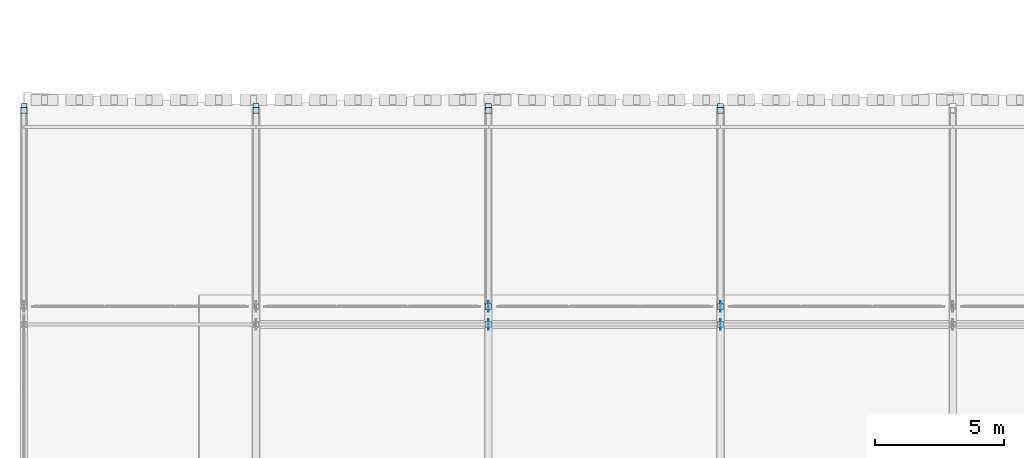
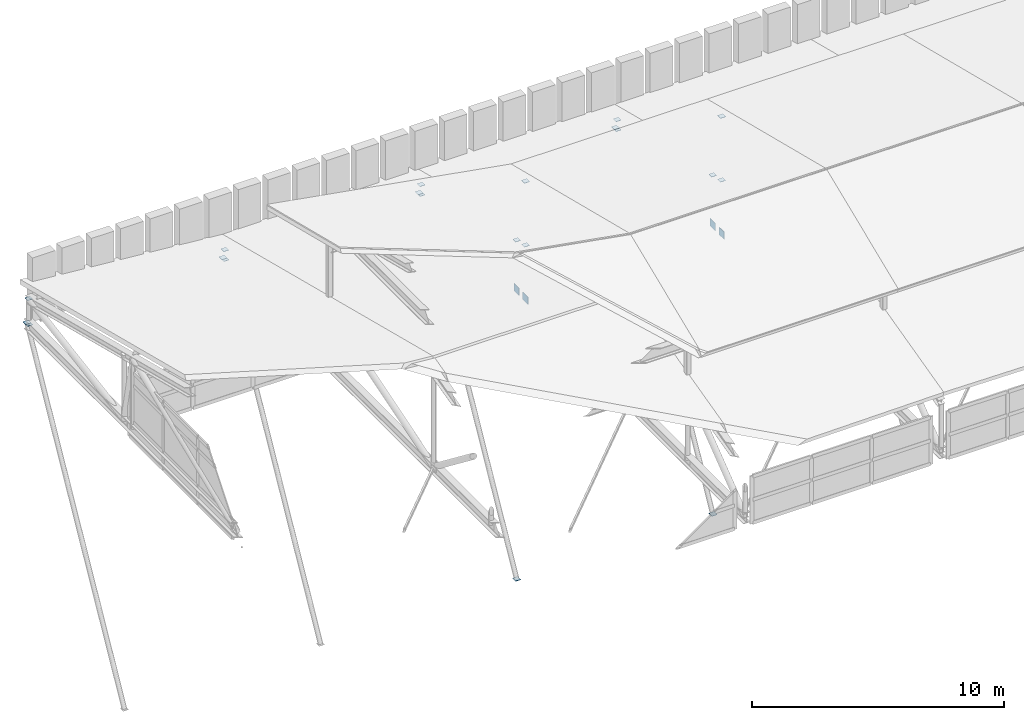
# One storey, part 35 of 42: 24 plates.
"""IFC4 building model written with IfcOpenShell, lengths in metres."""

from ifc_helpers import new_model, si_unit, direction, frame, origin, origin_2d, place, context, subcontext, project, spatial, rectangle, extrude, material, layer, layer_set, type_object, element, save


model = new_model("IFC4")

# Units and contexts
model_context = context("Model", 3, precision=1e-05, world=origin(), true_north=direction((0.0, 1.0)))
body_context = subcontext(model_context, "Body", "Model", "MODEL_VIEW")
ifc_project = project(units=[si_unit("LENGTHUNIT", "METRE"), si_unit("AREAUNIT", "SQUARE_METRE"), si_unit("VOLUMEUNIT", "CUBIC_METRE"), si_unit("PLANEANGLEUNIT", "RADIAN"), si_unit("MASSUNIT", "GRAM", prefix="KILO")], contexts=[model_context])

# Site, building, storey
site_placement = place(None, origin())
site = spatial("IfcSite", under=ifc_project, at=site_placement, CompositionType="ELEMENT")
building_placement = place(site_placement, origin())
building = spatial("IfcBuilding", under=site, at=building_placement, Name="Bozkorgan Art Gallery", CompositionType="ELEMENT")
storey_placement = place(building_placement, frame((0.0, 0.0, 28.800048828125)))
storey = spatial("IfcBuildingStorey", under=building, at=storey_placement, Name="RF", CompositionType="ELEMENT", Elevation=28.800048828125)

# Plates
ifc_material = material(Name="Steel S355J2", Category="steel")
ifc_layer_1 = layer(ifc_material, 0.01611328125, Name="Steel S355J2")
ifc_layer_set_1 = layer_set([ifc_layer_1], Name="Steel S355J2")
plate_type_1 = type_object("IfcPlateType", Name="PLATE-EC-05", PredefinedType="USERDEFINED", material=ifc_layer_set_1)
for number, where, z_axis, x_axis, name in (
    (1, (2.0, 27.60009765625, 1.49755859375), (0.0, 0.0, 1.0), (1.0, 0.0, 0.0), "Truss V1 post cap 1.5"),
    (2, (2.0, 27.60009765625, 0.241943359375), (0.0, 0.0, 1.0), (1.0, 0.0, 0.0), "Truss V1 post base cap 1.5"),
    (3, (11.0, 27.60009765625, 0.718505859375), (0.0, 0.0, 1.0), (1.0, 0.0, 0.0), "Truss V1 post cap 2.5"),
    (4, (11.0, 27.60009765625, 0.241943359375), (0.0, 0.0, 1.0), (1.0, 0.0, 0.0), "Truss V1 post base cap 2.5"),
    (5, (20.0, 19.300048828125, 2.81884765625), (0.0, 0.0, 1.0), (1.0, 0.0, 0.0), "Truss V1 post cap 3.3"),
    (6, (20.0, 20.0, 2.641845703125), (0.0, 0.0, 1.0), (1.0, 0.0, 0.0), "Truss V1 post cap 3.4"),
    (7, (20.0, 27.60009765625, 0.718505859375), (0.0, 0.0, 1.0), (1.0, 0.0, 0.0), "Truss V1 post cap 3.5"),
    (8, (20.0, 27.60009765625, 0.241943359375), (0.0, 0.0, 1.0), (1.0, 0.0, 0.0), "Truss V1 post base cap 3.5"),
    (9, (29.0, 19.300048828125, 2.81884765625), (0.0, 0.0, 1.0), (1.0, 0.0, 0.0), "Truss V1 post cap 4.3"),
    (10, (29.0, 20.0, 2.641845703125), (0.0, 0.0, 1.0), (1.0, 0.0, 0.0), "Truss V1 post cap 4.4"),
    (11, (29.0, 27.60009765625, 0.718505859375), (0.0, 0.0, 1.0), (1.0, 0.0, 0.0), "Truss V1 post cap 4.5"),
    (12, (29.0, 27.60009765625, 0.241943359375), (0.0, 0.0, 1.0), (1.0, 0.0, 0.0), "Truss V1 post base cap 4.5"),
):
    element("IfcPlate", number, at=place(storey_placement, frame(where, z_axis=z_axis, x_axis=x_axis)), inside=storey, type_object=plate_type_1, Name=name, ObjectType="END CAP PLATE", PredefinedType="USERDEFINED", context=body_context, shape_type="SweptSolid", body=[
        extrude(rectangle(XDim=0.22998046875, YDim=0.22998046875, at=origin_2d()), origin(), (0.0, 0.0, 1.0), 0.01611328125),
    ])
ifc_layer_2 = layer(ifc_material, 0.02001953125, Name="Steel S355J2")
ifc_layer_set_2 = layer_set([ifc_layer_2], Name="Steel S355J2")
plate_type_2 = type_object("IfcPlateType", Name="PLATE-EC-24", PredefinedType="USERDEFINED", material=ifc_layer_set_2)
for number, where, z_axis, x_axis, name in (
    (13, (2.0, 27.739990234375, 0.239990234375), (0.0, 0.0, 1.0), (1.0, 0.0, 0.0), "ROOF-V1-MAIN north swept-eave diagonal tree-strut 1 end cap 2"),
    (14, (11.0, 27.739990234375, 0.239990234375), (0.0, 0.0, 1.0), (1.0, 0.0, 0.0), "ROOF-V1-MAIN north swept-eave diagonal tree-strut 2 end cap 2"),
    (15, (20.0, 20.0, -13.81005859375), (0.0, 0.0, 1.0), (1.0, 0.0, 0.0), "ROOF-V1-MAIN north swept-eave diagonal tree-strut 3 end cap 1"),
    (16, (20.0, 27.739990234375, 0.239990234375), (0.0, 0.0, 1.0), (1.0, 0.0, 0.0), "ROOF-V1-MAIN north swept-eave diagonal tree-strut 3 end cap 2"),
    (17, (29.0, 20.0, -13.81005859375), (0.0, 0.0, 1.0), (1.0, 0.0, 0.0), "ROOF-V1-MAIN north swept-eave diagonal tree-strut 4 end cap 1"),
    (18, (29.0, 27.739990234375, 0.239990234375), (0.0, 0.0, 1.0), (1.0, 0.0, 0.0), "ROOF-V1-MAIN north swept-eave diagonal tree-strut 4 end cap 2"),
    (19, (20.0, 19.300048828125, 5.9150390625), (0.0, 0.0, 1.0), (1.0, 0.0, 0.0), "Clerestory V1 post cap 2N"),
    (20, (29.0, 19.300048828125, 5.9150390625), (0.0, 0.0, 1.0), (1.0, 0.0, 0.0), "Clerestory V1 post cap 3N"),
):
    element("IfcPlate", number, at=place(storey_placement, frame(where, z_axis=z_axis, x_axis=x_axis)), inside=storey, type_object=plate_type_2, Name=name, ObjectType="END CAP PLATE", PredefinedType="USERDEFINED", context=body_context, shape_type="SweptSolid", body=[
        extrude(rectangle(XDim=0.239990234375, YDim=0.239990234375, at=origin_2d()), origin(), (0.0, 0.0, 1.0), 0.02001953125),
    ])
ifc_layer_3 = layer(ifc_material, 0.02001953125, Name="Steel S355J2")
ifc_layer_set_3 = layer_set([ifc_layer_3], Name="Steel S355J2")
plate_type_3 = type_object("IfcPlateType", Name="PLATE-GP-55", PredefinedType="USERDEFINED", material=ifc_layer_set_3)
for number, where, z_axis, x_axis, name in (
    (21, (20.0, 19.300048828125, 0.06982421875), (0.0, 0.0, 1.0), (1.0, 0.0, 0.0), "Truss V1 span 3 node gusset TN-3"),
    (22, (20.0, 20.0, 0.06982421875), (0.0, 0.0, 1.0), (1.0, 0.0, 0.0), "Truss V1 span 3 node gusset TN-4"),
    (23, (29.0, 19.300048828125, 0.06982421875), (0.0, 0.0, 1.0), (1.0, 0.0, 0.0), "Truss V1 span 4 node gusset TN-3"),
    (24, (29.0, 20.0, 0.06982421875), (0.0, 0.0, 1.0), (1.0, 0.0, 0.0), "Truss V1 span 4 node gusset TN-4"),
):
    element("IfcPlate", number, at=place(storey_placement, frame(where, z_axis=z_axis, x_axis=x_axis)), inside=storey, type_object=plate_type_3, Name=name, ObjectType="GUSSET PLATE", PredefinedType="USERDEFINED", context=body_context, shape_type="SweptSolid", body=[
        extrude(rectangle(XDim=0.02001953125, YDim=0.419921875, at=origin_2d()), origin(), (0.0, 0.0, 1.0), 0.360107421875),
    ])

save(model, "model.ifc")
